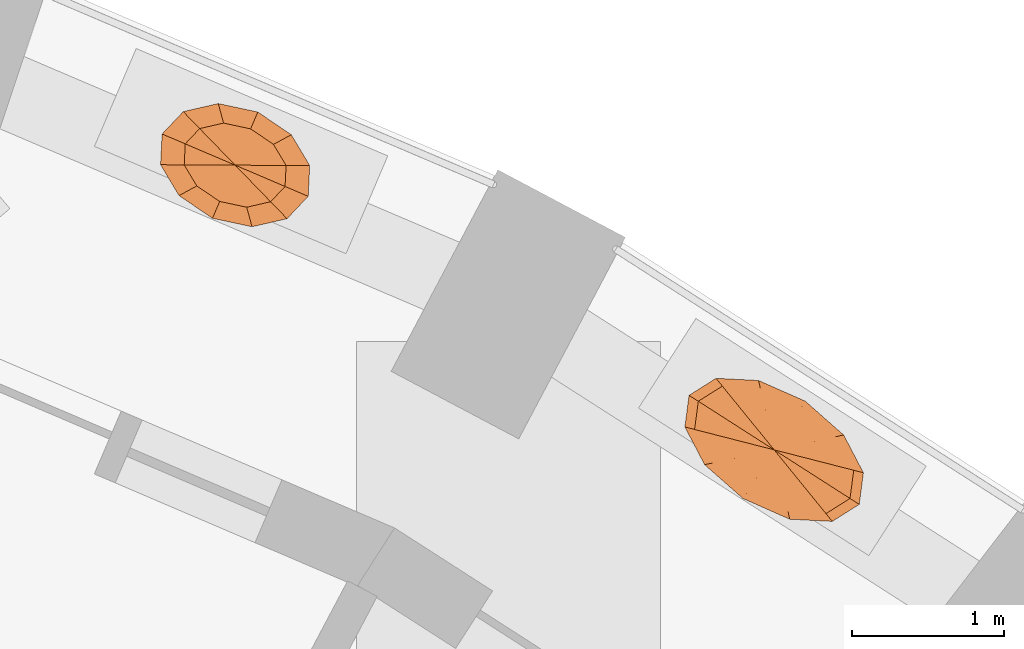
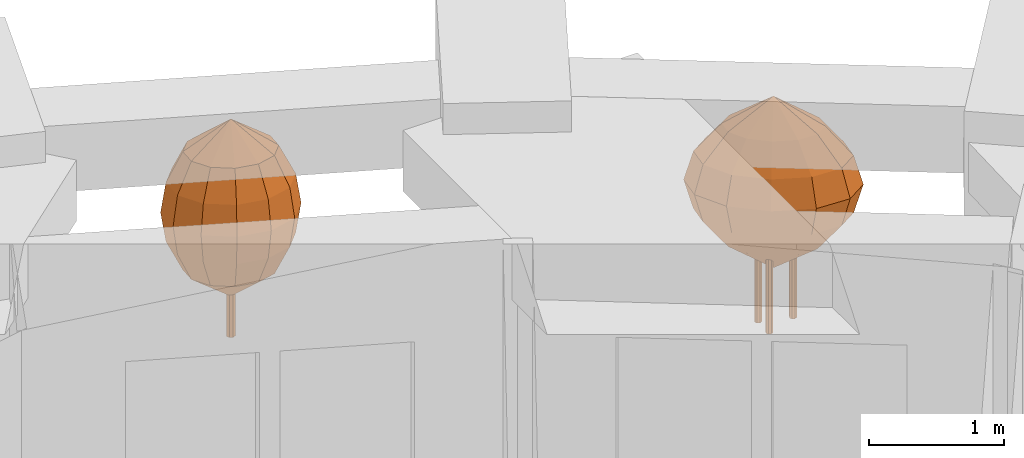
# One storey, part 12 of 12: 2 geographic elements.
"""IFC4 building model written with IfcOpenShell, lengths in metres."""

import ifcopenshell
import ifcopenshell.guid

model = None  # the IFC model being written
_history = None  # IfcOwnerHistory: only IFC2X3 demands one
_inside = {}  # id of a spatial element -> (the spatial element, [elements in it])
_under = {}  # id of a project, library or spatial element -> (it, [spatial elements below it])
_declared = {}  # id of a project -> (the project, [libraries it declares])
_typed = {}  # id of a type object -> (the type object, [elements of that type])
_made_of = {}  # id of a material, layer set ... -> (it, [elements and type objects made of it])


def new_model(schema):
    """Start an empty IFC model of exactly this schema.

    Asked for "IFC4X3", IfcOpenShell would pick the latest addendum, in which some entities
    have other attributes; the version numbers below select the first issue.
    IFC2X3 requires an IfcOwnerHistory on every rooted entity: one is made here for all.
    """
    global model, _history
    if schema == "IFC4X3":
        model = ifcopenshell.file(schema_version=(4, 3, 0, 0))
    else:
        model = ifcopenshell.file(schema=schema)
    _inside.clear()
    _under.clear()
    _declared.clear()
    _typed.clear()
    _made_of.clear()
    _history = None
    if model.schema == "IFC2X3":
        org = make("IfcOrganization", Name="unknown")
        user = make(
            "IfcPersonAndOrganization",
            ThePerson=make("IfcPerson", FamilyName="unknown"),
            TheOrganization=org,
        )
        app = make(
            "IfcApplication",
            ApplicationDeveloper=org,
            Version="unknown",
            ApplicationFullName="unknown",
            ApplicationIdentifier="unknown",
        )
        _history = make(
            "IfcOwnerHistory",
            OwningUser=user,
            OwningApplication=app,
            ChangeAction="ADDED",
            CreationDate=0,
        )
    return model


def make(cls, **values):
    """One entity of the class cls with the attributes given. An attribute that is None is left unset."""
    return model.create_entity(
        cls, **{name: value for name, value in values.items() if value is not None}
    )


def rooted(cls, **values):
    """An entity with a GlobalId (a new one), such as an element, a storey or a relation."""
    return make(cls, GlobalId=ifcopenshell.guid.new(), OwnerHistory=_history, **values)


def si_unit(unit_type, name, prefix=None):
    """IfcSIUnit, for example si_unit("LENGTHUNIT", "METRE", prefix="MILLI")."""
    return make("IfcSIUnit", UnitType=unit_type, Prefix=prefix, Name=name)


def assignment(units):
    """IfcUnitAssignment: the units of a project."""
    return None if units is None else make("IfcUnitAssignment", Units=units)


def point(xyz):
    """IfcCartesianPoint."""
    return None if xyz is None else make("IfcCartesianPoint", Coordinates=xyz)


def direction(xyz):
    """IfcDirection."""
    return None if xyz is None else make("IfcDirection", DirectionRatios=xyz)


def frame(location, z_axis=None, x_axis=None):
    """IfcAxis2Placement3D, a coordinate frame: its origin and axes. An axis left out is left unset."""
    return make(
        "IfcAxis2Placement3D",
        Location=point(location),
        Axis=direction(z_axis),
        RefDirection=direction(x_axis),
    )


def origin():
    """The frame at (0, 0, 0) with its axes left unset."""
    return frame((0.0, 0.0, 0.0))


def place(relative_to, where):
    """IfcLocalPlacement: puts the frame where relative to a parent placement (None: the world)."""
    return make(
        "IfcLocalPlacement", PlacementRelTo=relative_to, RelativePlacement=where
    )


def context(
    kind, dimensions, precision=None, world=None, true_north=None, identifier=None
):
    """IfcGeometricRepresentationContext, for example the 3D "Model" context."""
    return make(
        "IfcGeometricRepresentationContext",
        ContextIdentifier=identifier,
        ContextType=kind,
        CoordinateSpaceDimension=dimensions,
        Precision=precision,
        WorldCoordinateSystem=world,
        TrueNorth=true_north,
    )


def subcontext(parent, identifier, kind, view, scale=None):
    """IfcGeometricRepresentationSubContext, for example "Body" below "Model"."""
    return make(
        "IfcGeometricRepresentationSubContext",
        ContextIdentifier=identifier,
        ContextType=kind,
        ParentContext=parent,
        TargetScale=scale,
        TargetView=view,
    )


def project(units=None, contexts=None):
    """IfcProject with its units and contexts."""
    return rooted(
        "IfcProject",
        Name="project",
        RepresentationContexts=contexts,
        UnitsInContext=assignment(units),
    )


def spatial(cls, under=None, at=None, **own):
    """A site, building, storey or space (cls), placed at a placement, below another one or the project."""
    s = rooted(cls, ObjectPlacement=at, **own)
    if under is not None:
        _under.setdefault(under.id(), (under, []))[1].append(s)
    return s


def faces_of(points, faces, orient=None, outer=None):
    """IfcFace entities. A face is a list of loops; a loop is a list of indices into points, from 0.

    orient and outer hold one flag for each loop. By default every Orientation is true, the
    first loop of a face is its IfcFaceOuterBound and the others are IfcFaceBound.
    """
    made = []
    for i, loops in enumerate(faces):
        bounds = []
        for j, loop in enumerate(loops):
            is_outer = j == 0 if outer is None else outer[i][j]
            bounds.append(
                make(
                    "IfcFaceOuterBound" if is_outer else "IfcFaceBound",
                    Bound=make("IfcPolyLoop", Polygon=[points[k] for k in loop]),
                    Orientation=True if orient is None else orient[i][j],
                )
            )
        made.append(make("IfcFace", Bounds=bounds))
    return made


def faceted_brep(points, faces, orient=None, outer=None, voids=None):
    """IfcFacetedBrep: a solid bounded by flat faces; with voids (closed shells), ...WithVoids."""
    shared = [point(p) for p in points]
    hull = make("IfcClosedShell", CfsFaces=faces_of(shared, faces, orient, outer))
    if voids is None:
        return make("IfcFacetedBrep", Outer=hull)
    return make(
        "IfcFacetedBrepWithVoids",
        Outer=hull,
        Voids=[
            make(cls, CfsFaces=faces_of(shared, fs, o, b)) for cls, fs, o, b in voids
        ],
    )


def shape(context_of_items, identifier, shape_type, items):
    """IfcShapeRepresentation: the items that make up one representation, for example the "Body"."""
    return make(
        "IfcShapeRepresentation",
        ContextOfItems=context_of_items,
        RepresentationIdentifier=identifier,
        RepresentationType=shape_type,
        Items=items,
    )


def material(Name=None, Category=None):
    """IfcMaterial."""
    return make("IfcMaterial", Name=Name, Category=Category)


def constituent(of_material, Name=None, Category=None, fraction=None):
    """IfcMaterialConstituent: one of the materials an element consists of."""
    return make(
        "IfcMaterialConstituent",
        Name=Name,
        Material=of_material,
        Fraction=fraction,
        Category=Category,
    )


def constituent_set(constituents=None, Name=None):
    """IfcMaterialConstituentSet."""
    return make(
        "IfcMaterialConstituentSet", Name=Name, MaterialConstituents=constituents
    )


def made_of(thing, what):
    """Note that an element or type object is made of a material, layer set ...; save() writes the relation."""
    if what is not None:
        _made_of.setdefault(what.id(), (what, []))[1].append(thing)
    return thing


def type_object(cls, material=None, **own):
    """A type object (cls), such as IfcWallType, which elements share."""
    return made_of(rooted(cls, **own), material)


def element(
    cls,
    number,
    at=None,
    inside=None,
    cuts=None,
    type_object=None,
    material=None,
    context=None,
    identifier="Body",
    shape_type=None,
    held_by="IfcProductDefinitionShape",
    body=None,
    shapes=None,
    **own,
):
    """One element of the class cls, such as IfcWall. Its Tag is "e" and its number.

    at: its placement. inside: the storey or other place that contains it. cuts: it is an
    opening in that element (IfcRelVoidsElement). A single representation is given by context,
    identifier, shape_type and body (its items); several are given by shapes. held_by: the class
    of the entity that holds the representations. save() writes the other relations.
    """
    e = rooted(cls, Tag="e%d" % number, ObjectPlacement=at, **own)
    if body is not None:
        shapes = [shape(context, identifier, shape_type, body)]
    if shapes is not None:
        e.Representation = make(held_by, Representations=shapes)
    if inside is not None:
        _inside.setdefault(inside.id(), (inside, []))[1].append(e)
    if cuts is not None:
        rooted(
            "IfcRelVoidsElement", RelatingBuildingElement=cuts, RelatedOpeningElement=e
        )
    if type_object is not None:
        _typed.setdefault(type_object.id(), (type_object, []))[1].append(e)
    return made_of(e, material)


def aggregate(whole, parts):
    """IfcRelAggregates: a whole, such as a stair, and the parts it consists of."""
    return rooted("IfcRelAggregates", RelatingObject=whole, RelatedObjects=parts)


def save(model, path):
    """Write the relations noted so far, then the file.

    IfcRelAggregates (storeys below a building ...), IfcRelContainedInSpatialStructure (elements
    in a storey), IfcRelDefinesByType, IfcRelAssociatesMaterial and IfcRelDeclares: one each for
    every whole, place, type object, material and project.
    """
    for whole, parts in _under.values():
        aggregate(whole, parts)
    for where, things in _inside.values():
        rooted(
            "IfcRelContainedInSpatialStructure",
            RelatedElements=things,
            RelatingStructure=where,
        )
    for kind, things in _typed.values():
        rooted("IfcRelDefinesByType", RelatedObjects=things, RelatingType=kind)
    for what, things in _made_of.values():
        rooted("IfcRelAssociatesMaterial", RelatedObjects=things, RelatingMaterial=what)
    for by, libraries in _declared.values():
        rooted("IfcRelDeclares", RelatingContext=by, RelatedDefinitions=libraries)
    model.write(path)


model = new_model("IFC4")

# Units and contexts
model_context = context("Model", 3, precision=1e-05, world=origin(), true_north=direction((0.0, 1.0)))
body_context = subcontext(model_context, "Body", "Model", "MODEL_VIEW")
ifc_project = project(units=[si_unit("LENGTHUNIT", "METRE"), si_unit("AREAUNIT", "SQUARE_METRE"), si_unit("VOLUMEUNIT", "CUBIC_METRE"), si_unit("PLANEANGLEUNIT", "RADIAN"), si_unit("MASSUNIT", "GRAM", prefix="KILO")], contexts=[model_context])

# Site, building, storey
site_placement = place(None, origin())
site = spatial("IfcSite", under=ifc_project, at=site_placement, CompositionType="ELEMENT")
building_placement = place(site_placement, origin())
building = spatial("IfcBuilding", under=site, at=building_placement, Name="Taillehof Tower", CompositionType="ELEMENT")
storey_placement = place(building_placement, frame((0.0, 0.0, 148.39990234375)))
storey = spatial("IfcBuildingStorey", under=building, at=storey_placement, Name="L41", CompositionType="ELEMENT", Elevation=148.39990234375)

# Geographic elements
ifc_material_1 = material(Name="Tree bark", Category="timber")
ifc_constituent_1 = constituent(ifc_material_1, Name="Trunk", Category="timber")
ifc_material_2 = material(Name="Tree foliage")
ifc_constituent_2 = constituent(ifc_material_2, Name="Crown")
ifc_constituent_set_1 = constituent_set(constituents=[ifc_constituent_1, ifc_constituent_2], Name="Tree TR2 Fastigiate yew")
geographic_element_type_1 = type_object("IfcGeographicElementType", Name="Tree TR2 Fastigiate yew", PredefinedType="USERDEFINED", material=ifc_constituent_set_1)
geographic_element_1_placement = place(storey_placement, frame((10.027587890625, 19.59228515625, 0.75)))
element("IfcGeographicElement", 1, at=geographic_element_1_placement, inside=storey, type_object=geographic_element_type_1, Name="Tree TR2 Fastigiate yew", ObjectType="TREE", PredefinedType="USERDEFINED", context=body_context, shape_type="Brep", body=[
    faceted_brep([(0.034912109375, 0.0, 0.0), (0.024658203125, 0.024658203125, 0.0), (0.024658203125, 0.024658203125, 0.909912109375), (0.034912109375, 0.0, 0.909912109375), (0.0, 0.034912109375, 0.0), (0.0, 0.034912109375, 0.909912109375), (-0.024658203125, 0.024658203125, 0.0), (-0.024658203125, 0.024658203125, 0.909912109375), (-0.034912109375, 0.0, 0.0), (-0.034912109375, 0.0, 0.909912109375), (-0.024658203125, -0.024658203125, 0.0), (-0.024658203125, -0.024658203125, 0.909912109375), (0.0, -0.034912109375, 0.0), (0.0, -0.034912109375, 0.909912109375), (0.024658203125, -0.024658203125, 0.0), (0.024658203125, -0.024658203125, 0.909912109375)], [[[0, 1, 2, 3]], [[1, 4, 5, 2]], [[4, 6, 7, 5]], [[6, 8, 9, 7]], [[8, 10, 11, 9]], [[10, 12, 13, 11]], [[12, 14, 15, 13]], [[14, 0, 3, 15]], [[14, 12, 10, 8, 6, 4, 1, 0]], [[3, 2, 5, 7, 9, 11, 13, 15]]]),
    faceted_brep([(0.0, 0.0, 0.35009765625), (-0.335205078125, 0.001953125, 0.61669921875), (-0.328369140625, 0.14013671875, 0.61669921875), (-0.25244140625, -0.13671875, 0.61669921875), (-0.101806640625, -0.23876953125, 0.61669921875), (0.075927734375, -0.27685546875, 0.61669921875), (0.2333984375, -0.24072265625, 0.61669921875), (0.328369140625, -0.14013671875, 0.61669921875), (0.335205078125, -0.001953125, 0.61669921875), (0.25244140625, 0.13671875, 0.61669921875), (0.101806640625, 0.23876953125, 0.61669921875), (-0.075927734375, 0.27685546875, 0.61669921875), (-0.2333984375, 0.24072265625, 0.61669921875), (-0.453369140625, 0.002685546875, 0.88330078125), (-0.444091796875, 0.189453125, 0.88330078125), (-0.34130859375, -0.18505859375, 0.88330078125), (-0.1376953125, -0.322998046875, 0.88330078125), (0.102783203125, -0.374267578125, 0.88330078125), (0.315673828125, -0.325439453125, 0.88330078125), (0.444091796875, -0.189453125, 0.88330078125), (0.453369140625, -0.002685546875, 0.88330078125), (0.34130859375, 0.18505859375, 0.88330078125), (0.1376953125, 0.322998046875, 0.88330078125), (-0.102783203125, 0.374267578125, 0.88330078125), (-0.315673828125, 0.325439453125, 0.88330078125), (-0.49072265625, 0.002685546875, 1.14990234375), (-0.480712890625, 0.205078125, 1.14990234375), (-0.369384765625, -0.2001953125, 1.14990234375), (-0.149169921875, -0.349609375, 1.14990234375), (0.111083984375, -0.4052734375, 1.14990234375), (0.341552734375, -0.352294921875, 1.14990234375), (0.480712890625, -0.205078125, 1.14990234375), (0.49072265625, -0.002685546875, 1.14990234375), (0.369384765625, 0.2001953125, 1.14990234375), (0.149169921875, 0.349609375, 1.14990234375), (-0.111083984375, 0.4052734375, 1.14990234375), (-0.341552734375, 0.352294921875, 1.14990234375), (-0.453369140625, 0.002685546875, 1.416748046875), (-0.444091796875, 0.189453125, 1.416748046875), (-0.34130859375, -0.18505859375, 1.416748046875), (-0.1376953125, -0.322998046875, 1.416748046875), (0.102783203125, -0.374267578125, 1.416748046875), (0.315673828125, -0.325439453125, 1.416748046875), (0.444091796875, -0.189453125, 1.416748046875), (0.453369140625, -0.002685546875, 1.416748046875), (0.34130859375, 0.18505859375, 1.416748046875), (0.1376953125, 0.322998046875, 1.416748046875), (-0.102783203125, 0.374267578125, 1.416748046875), (-0.315673828125, 0.325439453125, 1.416748046875), (-0.335205078125, 0.001953125, 1.683349609375), (-0.328369140625, 0.14013671875, 1.683349609375), (-0.25244140625, -0.13671875, 1.683349609375), (-0.101806640625, -0.23876953125, 1.683349609375), (0.075927734375, -0.27685546875, 1.683349609375), (0.2333984375, -0.24072265625, 1.683349609375), (0.328369140625, -0.14013671875, 1.683349609375), (0.335205078125, -0.001953125, 1.683349609375), (0.25244140625, 0.13671875, 1.683349609375), (0.101806640625, 0.23876953125, 1.683349609375), (-0.075927734375, 0.27685546875, 1.683349609375), (-0.2333984375, 0.24072265625, 1.683349609375), (0.0, 0.0, 1.949951171875)], [[[0, 1, 2]], [[0, 3, 1]], [[0, 4, 3]], [[0, 5, 4]], [[0, 6, 5]], [[0, 7, 6]], [[0, 8, 7]], [[0, 9, 8]], [[0, 10, 9]], [[0, 11, 10]], [[0, 12, 11]], [[0, 2, 12]], [[2, 1, 13, 14]], [[1, 3, 15, 13]], [[3, 4, 16, 15]], [[4, 5, 17, 16]], [[5, 6, 18, 17]], [[6, 7, 19, 18]], [[7, 8, 20, 19]], [[8, 9, 21, 20]], [[9, 10, 22, 21]], [[10, 11, 23, 22]], [[11, 12, 24, 23]], [[12, 2, 14, 24]], [[14, 13, 25, 26]], [[13, 15, 27, 25]], [[15, 16, 28, 27]], [[16, 17, 29, 28]], [[17, 18, 30, 29]], [[18, 19, 31, 30]], [[19, 20, 32, 31]], [[20, 21, 33, 32]], [[21, 22, 34, 33]], [[22, 23, 35, 34]], [[23, 24, 36, 35]], [[24, 14, 26, 36]], [[26, 25, 37, 38]], [[25, 27, 39, 37]], [[27, 28, 40, 39]], [[28, 29, 41, 40]], [[29, 30, 42, 41]], [[30, 31, 43, 42]], [[31, 32, 44, 43]], [[32, 33, 45, 44]], [[33, 34, 46, 45]], [[34, 35, 47, 46]], [[35, 36, 48, 47]], [[36, 26, 38, 48]], [[38, 37, 49, 50]], [[37, 39, 51, 49]], [[39, 40, 52, 51]], [[40, 41, 53, 52]], [[41, 42, 54, 53]], [[42, 43, 55, 54]], [[43, 44, 56, 55]], [[44, 45, 57, 56]], [[45, 46, 58, 57]], [[46, 47, 59, 58]], [[47, 48, 60, 59]], [[48, 38, 50, 60]], [[50, 49, 61]], [[49, 51, 61]], [[51, 52, 61]], [[52, 53, 61]], [[53, 54, 61]], [[54, 55, 61]], [[55, 56, 61]], [[56, 57, 61]], [[57, 58, 61]], [[58, 59, 61]], [[59, 60, 61]], [[60, 50, 61]]]),
])
ifc_material_3 = material(Name="Tree bark", Category="timber")
ifc_constituent_3 = constituent(ifc_material_3, Name="Trunk", Category="timber")
ifc_material_4 = material(Name="Tree foliage")
ifc_constituent_4 = constituent(ifc_material_4, Name="Crown")
ifc_constituent_set_2 = constituent_set(constituents=[ifc_constituent_3, ifc_constituent_4], Name="Tree TR3 Multi-stem serviceberry")
geographic_element_type_2 = type_object("IfcGeographicElementType", Name="Tree TR3 Multi-stem serviceberry", PredefinedType="USERDEFINED", material=ifc_constituent_set_2)
geographic_element_2_placement = place(storey_placement, frame((13.57421875, 17.718994140625, 0.75)))
element("IfcGeographicElement", 2, at=geographic_element_2_placement, inside=storey, type_object=geographic_element_type_2, Name="Tree TR3 Multi-stem serviceberry", ObjectType="TREE", PredefinedType="USERDEFINED", context=body_context, shape_type="Brep", body=[
    faceted_brep([(0.195068359375, 0.0, 0.0), (0.186767578125, 0.0205078125, 0.0), (0.186767578125, 0.0205078125, 1.04248046875), (0.195068359375, 0.0, 1.04248046875), (0.166259765625, 0.02880859375, 0.0), (0.166259765625, 0.02880859375, 1.04248046875), (0.145751953125, 0.0205078125, 0.0), (0.145751953125, 0.0205078125, 1.04248046875), (0.137451171875, 0.0, 0.0), (0.137451171875, 0.0, 1.04248046875), (0.145751953125, -0.0205078125, 0.0), (0.145751953125, -0.0205078125, 1.04248046875), (0.166259765625, -0.02880859375, 0.0), (0.166259765625, -0.02880859375, 1.04248046875), (0.186767578125, -0.0205078125, 0.0), (0.186767578125, -0.0205078125, 1.04248046875)], [[[0, 1, 2, 3]], [[1, 4, 5, 2]], [[4, 6, 7, 5]], [[6, 8, 9, 7]], [[8, 10, 11, 9]], [[10, 12, 13, 11]], [[12, 14, 15, 13]], [[14, 0, 3, 15]], [[14, 12, 10, 8, 6, 4, 1, 0]], [[3, 2, 5, 7, 9, 11, 13, 15]]]),
    faceted_brep([(-0.05419921875, 0.082275390625, 0.0), (-0.062744140625, 0.102783203125, 0.0), (-0.062744140625, 0.102783203125, 1.04248046875), (-0.05419921875, 0.082275390625, 1.04248046875), (-0.0830078125, 0.111083984375, 0.0), (-0.0830078125, 0.111083984375, 1.04248046875), (-0.103515625, 0.102783203125, 0.0), (-0.103515625, 0.102783203125, 1.04248046875), (-0.112060546875, 0.082275390625, 0.0), (-0.112060546875, 0.082275390625, 1.04248046875), (-0.103515625, 0.061767578125, 0.0), (-0.103515625, 0.061767578125, 1.04248046875), (-0.0830078125, 0.053466796875, 0.0), (-0.0830078125, 0.053466796875, 1.04248046875), (-0.062744140625, 0.061767578125, 0.0), (-0.062744140625, 0.061767578125, 1.04248046875)], [[[0, 1, 2, 3]], [[1, 4, 5, 2]], [[4, 6, 7, 5]], [[6, 8, 9, 7]], [[8, 10, 11, 9]], [[10, 12, 13, 11]], [[12, 14, 15, 13]], [[14, 0, 3, 15]], [[14, 12, 10, 8, 6, 4, 1, 0]], [[3, 2, 5, 7, 9, 11, 13, 15]]]),
    faceted_brep([(-0.05419921875, -0.082275390625, 0.0), (-0.062744140625, -0.061767578125, 0.0), (-0.062744140625, -0.061767578125, 1.04248046875), (-0.05419921875, -0.082275390625, 1.04248046875), (-0.0830078125, -0.053466796875, 0.0), (-0.0830078125, -0.053466796875, 1.04248046875), (-0.103515625, -0.061767578125, 0.0), (-0.103515625, -0.061767578125, 1.04248046875), (-0.112060546875, -0.082275390625, 0.0), (-0.112060546875, -0.082275390625, 1.04248046875), (-0.103515625, -0.102783203125, 0.0), (-0.103515625, -0.102783203125, 1.04248046875), (-0.0830078125, -0.111083984375, 0.0), (-0.0830078125, -0.111083984375, 1.04248046875), (-0.062744140625, -0.102783203125, 0.0), (-0.062744140625, -0.102783203125, 1.04248046875)], [[[0, 1, 2, 3]], [[1, 4, 5, 2]], [[4, 6, 7, 5]], [[6, 8, 9, 7]], [[8, 10, 11, 9]], [[10, 12, 13, 11]], [[12, 14, 15, 13]], [[14, 0, 3, 15]], [[14, 12, 10, 8, 6, 4, 1, 0]], [[3, 2, 5, 7, 9, 11, 13, 15]]]),
    faceted_brep([(0.0, 0.0, 0.5), (-0.33740234375, 0.08642578125, 0.75830078125), (-0.321533203125, 0.2060546875, 0.75830078125), (-0.2626953125, -0.05615234375, 0.75830078125), (-0.11767578125, -0.183837890625, 0.75830078125), (0.058837890625, -0.26220703125, 0.75830078125), (0.2197265625, -0.270263671875, 0.75830078125), (0.321533203125, -0.2060546875, 0.75830078125), (0.33740234375, -0.08642578125, 0.75830078125), (0.2626953125, 0.05615234375, 0.75830078125), (0.11767578125, 0.183837890625, 0.75830078125), (-0.058837890625, 0.26220703125, 0.75830078125), (-0.2197265625, 0.270263671875, 0.75830078125), (-0.523681640625, 0.13427734375, 1.0166015625), (-0.4990234375, 0.31982421875, 1.0166015625), (-0.40771484375, -0.087158203125, 1.0166015625), (-0.1826171875, -0.28515625, 1.0166015625), (0.09130859375, -0.40673828125, 1.0166015625), (0.3408203125, -0.41943359375, 1.0166015625), (0.4990234375, -0.31982421875, 1.0166015625), (0.523681640625, -0.13427734375, 1.0166015625), (0.40771484375, 0.087158203125, 1.0166015625), (0.1826171875, 0.28515625, 1.0166015625), (-0.09130859375, 0.40673828125, 1.0166015625), (-0.3408203125, 0.41943359375, 1.0166015625), (-0.58740234375, 0.150634765625, 1.27490234375), (-0.56005859375, 0.358642578125, 1.27490234375), (-0.45751953125, -0.09765625, 1.27490234375), (-0.205078125, -0.320068359375, 1.27490234375), (0.1025390625, -0.45654296875, 1.27490234375), (0.382568359375, -0.470703125, 1.27490234375), (0.56005859375, -0.358642578125, 1.27490234375), (0.58740234375, -0.150634765625, 1.27490234375), (0.45751953125, 0.09765625, 1.27490234375), (0.205078125, 0.320068359375, 1.27490234375), (-0.1025390625, 0.45654296875, 1.27490234375), (-0.382568359375, 0.470703125, 1.27490234375), (-0.523681640625, 0.13427734375, 1.533447265625), (-0.4990234375, 0.31982421875, 1.533447265625), (-0.40771484375, -0.087158203125, 1.533447265625), (-0.1826171875, -0.28515625, 1.533447265625), (0.09130859375, -0.40673828125, 1.533447265625), (0.3408203125, -0.41943359375, 1.533447265625), (0.4990234375, -0.31982421875, 1.533447265625), (0.523681640625, -0.13427734375, 1.533447265625), (0.40771484375, 0.087158203125, 1.533447265625), (0.1826171875, 0.28515625, 1.533447265625), (-0.09130859375, 0.40673828125, 1.533447265625), (-0.3408203125, 0.41943359375, 1.533447265625), (-0.33740234375, 0.08642578125, 1.791748046875), (-0.321533203125, 0.2060546875, 1.791748046875), (-0.2626953125, -0.05615234375, 1.791748046875), (-0.11767578125, -0.183837890625, 1.791748046875), (0.058837890625, -0.26220703125, 1.791748046875), (0.2197265625, -0.270263671875, 1.791748046875), (0.321533203125, -0.2060546875, 1.791748046875), (0.33740234375, -0.08642578125, 1.791748046875), (0.2626953125, 0.05615234375, 1.791748046875), (0.11767578125, 0.183837890625, 1.791748046875), (-0.058837890625, 0.26220703125, 1.791748046875), (-0.2197265625, 0.270263671875, 1.791748046875), (0.0, 0.0, 2.050048828125)], [[[0, 1, 2]], [[0, 3, 1]], [[0, 4, 3]], [[0, 5, 4]], [[0, 6, 5]], [[0, 7, 6]], [[0, 8, 7]], [[0, 9, 8]], [[0, 10, 9]], [[0, 11, 10]], [[0, 12, 11]], [[0, 2, 12]], [[2, 1, 13, 14]], [[1, 3, 15, 13]], [[3, 4, 16, 15]], [[4, 5, 17, 16]], [[5, 6, 18, 17]], [[6, 7, 19, 18]], [[7, 8, 20, 19]], [[8, 9, 21, 20]], [[9, 10, 22, 21]], [[10, 11, 23, 22]], [[11, 12, 24, 23]], [[12, 2, 14, 24]], [[14, 13, 25, 26]], [[13, 15, 27, 25]], [[15, 16, 28, 27]], [[16, 17, 29, 28]], [[17, 18, 30, 29]], [[18, 19, 31, 30]], [[19, 20, 32, 31]], [[20, 21, 33, 32]], [[21, 22, 34, 33]], [[22, 23, 35, 34]], [[23, 24, 36, 35]], [[24, 14, 26, 36]], [[26, 25, 37, 38]], [[25, 27, 39, 37]], [[27, 28, 40, 39]], [[28, 29, 41, 40]], [[29, 30, 42, 41]], [[30, 31, 43, 42]], [[31, 32, 44, 43]], [[32, 33, 45, 44]], [[33, 34, 46, 45]], [[34, 35, 47, 46]], [[35, 36, 48, 47]], [[36, 26, 38, 48]], [[38, 37, 49, 50]], [[37, 39, 51, 49]], [[39, 40, 52, 51]], [[40, 41, 53, 52]], [[41, 42, 54, 53]], [[42, 43, 55, 54]], [[43, 44, 56, 55]], [[44, 45, 57, 56]], [[45, 46, 58, 57]], [[46, 47, 59, 58]], [[47, 48, 60, 59]], [[48, 38, 50, 60]], [[50, 49, 61]], [[49, 51, 61]], [[51, 52, 61]], [[52, 53, 61]], [[53, 54, 61]], [[54, 55, 61]], [[55, 56, 61]], [[56, 57, 61]], [[57, 58, 61]], [[58, 59, 61]], [[59, 60, 61]], [[60, 50, 61]]]),
])

save(model, "model.ifc")
